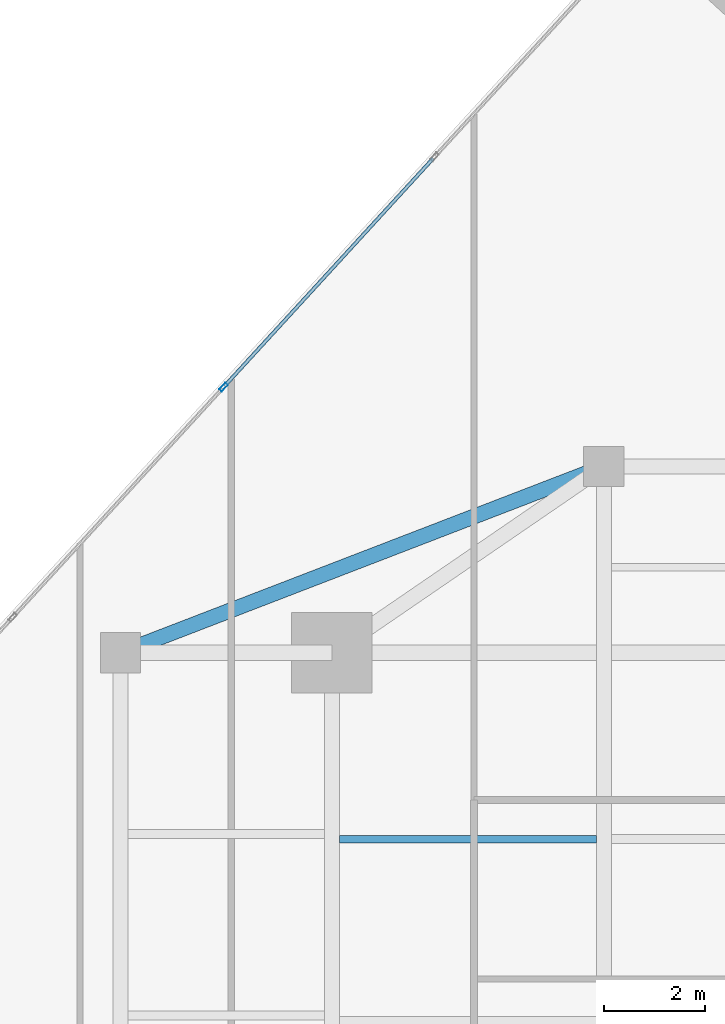
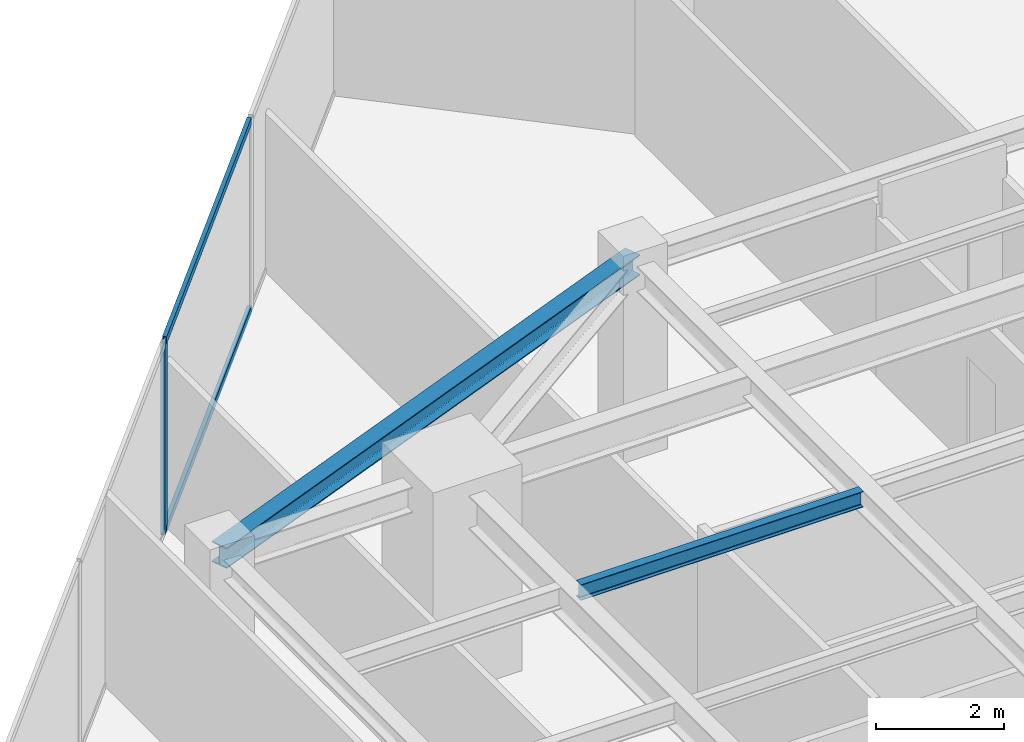
# One storey, part 15 of 26: 3 members, 2 beams, 1 element without a shape of its own.
"""IFC4 building model written with IfcOpenShell, lengths in metres."""

from ifc_helpers import new_model, si_unit, direction, frame, origin, origin_2d, place, context, subcontext, project, spatial, hollow_rectangle, i_section, extrude, source, transform, mapped, material, material_profile, profile_set, type_object, type_shapes, element, aggregate, save


model = new_model("IFC4")

# Units and contexts
model_context = context("Model", 3, precision=1e-05, world=origin(), true_north=direction((0.0, 1.0)))
body_context = subcontext(model_context, "Body", "Model", "MODEL_VIEW")
ifc_project = project(units=[si_unit("LENGTHUNIT", "METRE"), si_unit("AREAUNIT", "SQUARE_METRE"), si_unit("VOLUMEUNIT", "CUBIC_METRE"), si_unit("PLANEANGLEUNIT", "RADIAN"), si_unit("MASSUNIT", "GRAM", prefix="KILO")], contexts=[model_context])

# Site, building, storey
site_placement = place(None, origin())
site = spatial("IfcSite", under=ifc_project, at=site_placement, CompositionType="ELEMENT")
building_placement = place(site_placement, origin())
building = spatial("IfcBuilding", under=site, at=building_placement, Name="Krantzveldt Concourse Tower", CompositionType="ELEMENT")
storey_placement = place(building_placement, frame((0.0, 0.0, 219.14990234375)))
storey = spatial("IfcBuildingStorey", under=building, at=storey_placement, Name="L53", CompositionType="ELEMENT", Elevation=219.14990234375)

# Beams
ifc_material_1 = material(Name="Steel S355JR", Category="steel")
ifc_material_profile_1 = material_profile(ifc_material_1, i_section(OverallWidth=0.300048828125, OverallDepth=0.389892578125, WebThickness=0.010986328125, FlangeThickness=0.01904296875, FilletRadius=0.027099609375, at=origin_2d()), Name="Steel S355JR", Category="steel")
ifc_profile_set_1 = profile_set([ifc_material_profile_1], Name="Steel S355JR - HEA 400")
beam_type_1 = type_object("IfcBeamType", Name="BM-SP-HEA400", PredefinedType="SPANDREL", material=ifc_profile_set_1)
shared_shape_1 = source(origin(), body_context, "Body", "SweptSolid", [
    extrude(i_section(OverallWidth=0.300048828125, OverallDepth=0.389892578125, WebThickness=0.010986328125, FlangeThickness=0.01904296875, FilletRadius=0.027099609375, at=origin_2d()), origin(), (0.0, 0.0, 1.0), 10.288330078125),
])
type_shapes(beam_type_1, [shared_shape_1])
beam_1_placement = place(storey_placement, frame((21.0, 37.5, 3.47509765625), z_axis=(0.933097690408, 0.359622997257, 0.0), x_axis=(-0.359622997257, 0.933097690408, 0.0)))
element("IfcBeam", 1, at=beam_1_placement, inside=storey, type_object=beam_type_1, Name="L53 Tower Girder SP-R03", PredefinedType="SPANDREL", context=body_context, shape_type="MappedRepresentation", body=[
    mapped(shared_shape_1, transform((0.0, 0.0, 0.0), x_axis=(1.0, 0.0, 0.0), y_axis=(0.0, 1.0, 0.0), z_axis=(0.0, 0.0, 1.0), scale=1.0)),
])
ifc_material_profile_2 = material_profile(ifc_material_1, i_section(OverallWidth=0.14990234375, OverallDepth=0.300048828125, WebThickness=0.007080078125, FlangeThickness=0.0107421875, FilletRadius=0.014892578125, at=origin_2d()), Name="Steel S355JR", Category="steel")
ifc_profile_set_2 = profile_set([ifc_material_profile_2], Name="Steel S355JR - IPE 300")
beam_type_2 = type_object("IfcBeamType", Name="BM-J-IPE300", PredefinedType="JOIST", material=ifc_profile_set_2)
shared_shape_2 = source(origin(), body_context, "Body", "SweptSolid", [
    extrude(i_section(OverallWidth=0.14990234375, OverallDepth=0.300048828125, WebThickness=0.007080078125, FlangeThickness=0.0107421875, FilletRadius=0.014892578125, at=origin_2d()), origin(), (0.0, 0.0, 1.0), 5.099853515625),
])
type_shapes(beam_type_2, [shared_shape_2])
beam_2_placement = place(storey_placement, frame((25.35009765625, 33.800048828125, 3.52001953125), z_axis=(1.0, 0.0, 0.0), x_axis=(0.0, 1.0, 0.0)))
element("IfcBeam", 2, at=beam_2_placement, inside=storey, type_object=beam_type_2, Name="L53 Secondary Floor Joist JN-W2", PredefinedType="JOIST", context=body_context, shape_type="MappedRepresentation", body=[
    mapped(shared_shape_2, transform((0.0, 0.0, 0.0), x_axis=(1.0, 0.0, 0.0), y_axis=(0.0, 1.0, 0.0), z_axis=(0.0, 0.0, 1.0), scale=1.0)),
])

# Curtain wall, members
ifc_material_2 = material(Name="Anodised aluminium 6063-T6", Category="aluminium")
curtain_wall_type = type_object("IfcCurtainWallType", Name="CW3", PredefinedType="USERDEFINED", material=ifc_material_2)
curtain_wall_placement = place(storey_placement, origin())
curtain_wall = element("IfcCurtainWall", 3, at=curtain_wall_placement, inside=storey, type_object=curtain_wall_type, Name="CW-L53-F01", ObjectType="UNITISED CURTAIN WALL", PredefinedType="USERDEFINED")
ifc_material_profile_3 = material_profile(ifc_material_2, hollow_rectangle(XDim=0.070068359375, YDim=0.179931640625, WallThickness=0.0048828125, at=origin_2d()), Name="Anodised aluminium 6063-T6", Category="aluminium")
ifc_profile_set_3 = profile_set([ifc_material_profile_3], Name="Anodised aluminium 6063-T6 - ALU-MULL 180x70x5")
member_type_1 = type_object("IfcMemberType", Name="CW-MUL-180", PredefinedType="MULLION", material=ifc_profile_set_3)
shared_shape_3 = source(origin(), body_context, "Body", "SweptSolid", [
    extrude(hollow_rectangle(XDim=0.070068359375, YDim=0.179931640625, WallThickness=0.0048828125, at=origin_2d()), origin(), (0.0, 0.0, 1.0), 3.670166015625),
])
type_shapes(member_type_1, [shared_shape_3])
member_1_placement = place(storey_placement, frame((23.04638671875, 42.7744140625, 0.0), z_axis=(0.0, 0.0, 1.0), x_axis=(0.737277477893, -0.675590053651, 0.0)))
member_1 = element("IfcMember", 4, at=member_1_placement, type_object=member_type_1, Name="CW-Z34 mullion 3", PredefinedType="MULLION", context=body_context, shape_type="MappedRepresentation", body=[
    mapped(shared_shape_3, transform((0.0, 0.0, 0.0), x_axis=(1.0, 0.0, 0.0), y_axis=(0.0, 1.0, 0.0), z_axis=(0.0, 0.0, 1.0), scale=1.0)),
])
ifc_material_profile_4 = material_profile(ifc_material_2, hollow_rectangle(XDim=0.070068359375, YDim=0.139892578125, WallThickness=0.0048828125, at=origin_2d()), Name="Anodised aluminium 6063-T6", Category="aluminium")
ifc_profile_set_4 = profile_set([ifc_material_profile_4], Name="Anodised aluminium 6063-T6 - ALU-TRAN 140x70x5")
member_type_2 = type_object("IfcMemberType", Name="CW-TRN-150", PredefinedType="USERDEFINED", material=ifc_profile_set_4)
shared_shape_4 = source(origin(), body_context, "Body", "SweptSolid", [
    extrude(hollow_rectangle(XDim=0.070068359375, YDim=0.139892578125, WallThickness=0.0048828125, at=origin_2d()), origin(), (0.0, 0.0, 1.0), 6.130126953125),
])
type_shapes(member_type_2, [shared_shape_4])
member_2_placement = place(storey_placement, frame((27.21142578125, 47.319580078125, 0.03515625), z_axis=(-0.675587551404, -0.737279770771, 0.0), x_axis=(0.737279770771, -0.675587551404, 0.0)))
member_2 = element("IfcMember", 5, at=member_2_placement, type_object=member_type_2, Name="CW-Z34 transom 2.1", ObjectType="TRANSOM", PredefinedType="USERDEFINED", context=body_context, shape_type="MappedRepresentation", body=[
    mapped(shared_shape_4, transform((0.0, 0.0, 0.0), x_axis=(1.0, 0.0, 0.0), y_axis=(0.0, 1.0, 0.0), z_axis=(0.0, 0.0, 1.0), scale=1.0)),
])
member_3_placement = place(storey_placement, frame((27.21142578125, 47.319580078125, 3.635009765625), z_axis=(-0.675587551404, -0.737279770771, 0.0), x_axis=(0.737279770771, -0.675587551404, 0.0)))
member_3 = element("IfcMember", 6, at=member_3_placement, type_object=member_type_2, Name="CW-Z34 transom 2.2", ObjectType="TRANSOM", PredefinedType="USERDEFINED", context=body_context, shape_type="MappedRepresentation", body=[
    mapped(shared_shape_4, transform((0.0, 0.0, 0.0), x_axis=(1.0, 0.0, 0.0), y_axis=(0.0, 1.0, 0.0), z_axis=(0.0, 0.0, 1.0), scale=1.0)),
])
aggregate(curtain_wall, [member_1, member_2, member_3])

save(model, "model.ifc")
